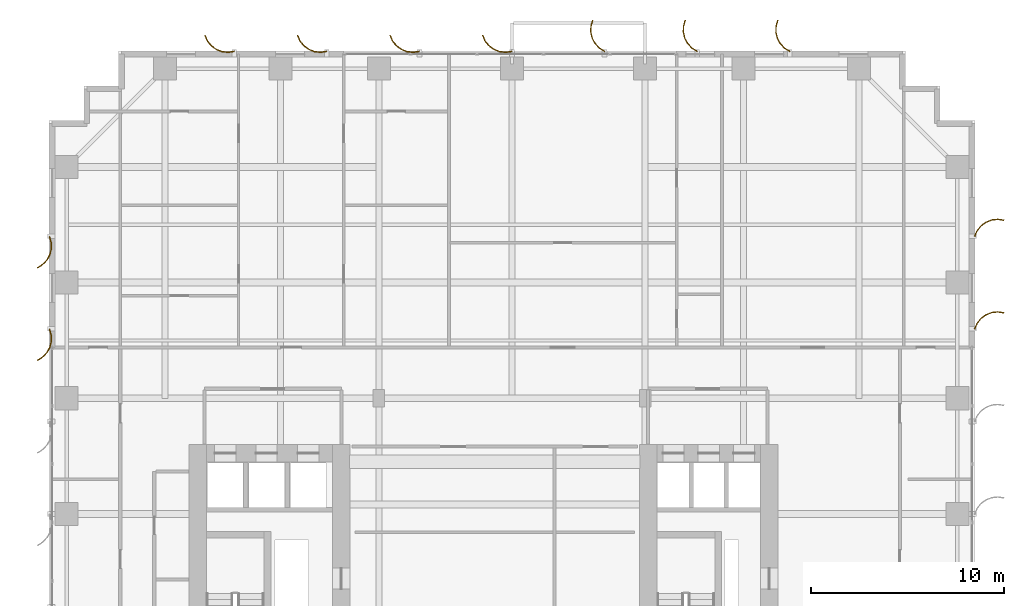
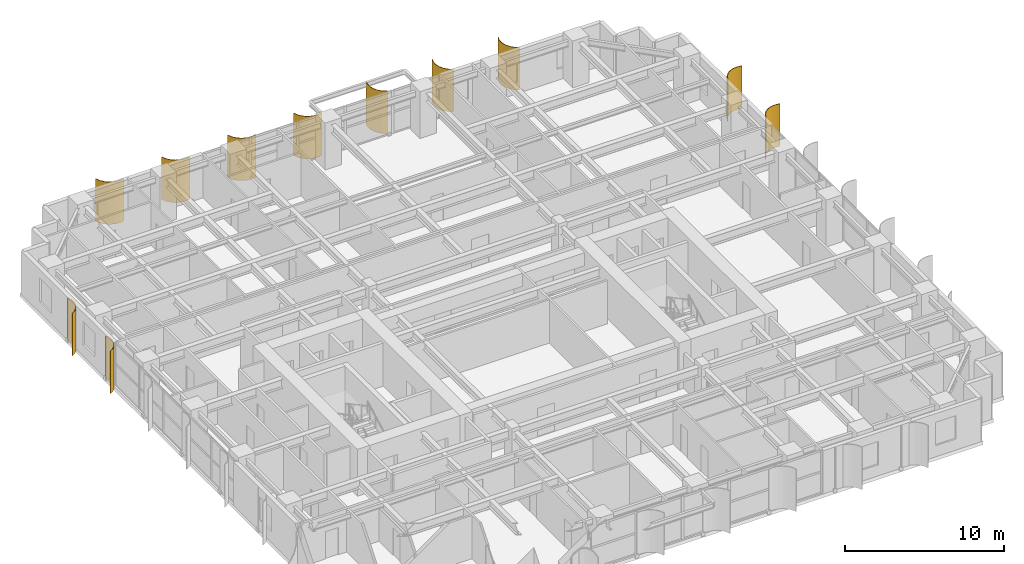
# One storey, part 25 of 25: 11 shading devices.
"""IFC4 building model written with IfcOpenShell, lengths in metres."""

from ifc_helpers import new_model, si_unit, direction, frame, origin, place, context, subcontext, project, spatial, polyline, outline, extrude, source, transform, mapped, material, layer, layer_set, type_object, element, save


model = new_model("IFC4")

# Units and contexts
model_context = context("Model", 3, precision=1e-05, world=origin(), true_north=direction((0.0, 1.0)))
body_context = subcontext(model_context, "Body", "Model", "MODEL_VIEW")
ifc_project = project(units=[si_unit("LENGTHUNIT", "METRE"), si_unit("AREAUNIT", "SQUARE_METRE"), si_unit("VOLUMEUNIT", "CUBIC_METRE"), si_unit("PLANEANGLEUNIT", "RADIAN"), si_unit("MASSUNIT", "GRAM", prefix="KILO")], contexts=[model_context])

# Site, building, storey
site_placement = place(None, origin())
site = spatial("IfcSite", under=ifc_project, at=site_placement, CompositionType="ELEMENT")
building_placement = place(site_placement, origin())
building = spatial("IfcBuilding", under=site, at=building_placement, Name="Khoralis Quay Care Tower", CompositionType="ELEMENT")
storey_placement = place(building_placement, frame((0.0, 0.0, 65.699951171875)))
storey = spatial("IfcBuildingStorey", under=building, at=storey_placement, Name="L17", CompositionType="ELEMENT", Elevation=65.699951171875)

# Shading devices
ifc_material = material(Name="Brushed pale anodised aluminium", Category="aluminium")
ifc_layer = layer(ifc_material, 0.044921875)
ifc_layer_set = layer_set([ifc_layer], Name="Brushed pale anodised aluminium")
shading_device_type = type_object("IfcShadingDeviceType", Name="SHD-FIN-1250", PredefinedType="USERDEFINED", material=ifc_layer_set)
shared_shape_1 = source(origin(), body_context, "Body", "SweptSolid", [
    extrude(outline(polyline([(0.0, 0.0), (0.130126953125, 0.29931640625), (0.333251953125, 0.5546875), (0.595458984375, 0.748779296875), (0.899169921875, 0.868408203125), (1.223388671875, 0.9052734375), (1.546142578125, 0.85693359375), (1.53369140625, 0.813720703125), (1.22265625, 0.8603515625), (0.91015625, 0.82470703125), (0.617431640625, 0.70947265625), (0.364501953125, 0.522216796875), (0.168701171875, 0.276123046875), (0.043212890625, -0.012451171875), (0.0, 0.0)])), origin(), (0.0, 0.0, 1.0), 3.260009765625),
])
for number, where, z_axis, x_axis, name in (
    (1, (47.969970703125, 33.60009765625, 0.02001953125), (0.0, 0.0, 1.0), (1.0, 0.0, 0.0), "L17 Curved Solar Fin P1E5-06"),
    (2, (47.969970703125, 38.39990234375, 0.02001953125), (0.0, 0.0, 1.0), (1.0, 0.0, 0.0), "L17 Curved Solar Fin P1E5-07"),
):
    element("IfcShadingDevice", number, at=place(storey_placement, frame(where, z_axis=z_axis, x_axis=x_axis)), inside=storey, type_object=shading_device_type, Name=name, ObjectType="FIN", PredefinedType="USERDEFINED", context=body_context, shape_type="MappedRepresentation", body=[
        mapped(shared_shape_1, transform((0.0, 0.0, 0.0), scale=1.0)),
    ])
shared_shape_2 = source(origin(), body_context, "Body", "SweptSolid", [
    extrude(outline(polyline([(0.0, 0.0), (0.17041015625, 0.2783203125), (0.4072265625, 0.5029296875), (0.694091796875, 0.658447265625), (1.01123046875, 0.734619140625), (1.33740234375, 0.72607421875), (1.650390625, 0.633544921875), (1.632080078125, 0.59228515625), (1.330322265625, 0.681640625), (1.015869140625, 0.68994140625), (0.710205078125, 0.616455078125), (0.43359375, 0.466552734375), (0.20556640625, 0.25), (0.041015625, -0.018310546875), (0.0, 0.0)])), origin(), (0.0, 0.0, 1.0), 3.260009765625),
])
for number, where, z_axis, x_axis, name in (
    (3, (38.39990234375, 47.969970703125, 0.02001953125), (0.0, 0.0, 1.0), (0.0, 1.0, 0.0), "L17 Curved Solar Fin P1E10-01"),
    (4, (33.60009765625, 47.969970703125, 0.02001953125), (0.0, 0.0, 1.0), (0.0, 1.0, 0.0), "L17 Curved Solar Fin P1E10-02"),
    (5, (28.800048828125, 47.969970703125, 0.02001953125), (0.0, 0.0, 1.0), (0.0, 1.0, 0.0), "L17 Curved Solar Fin P1E10-03"),
):
    element("IfcShadingDevice", number, at=place(storey_placement, frame(where, z_axis=z_axis, x_axis=x_axis)), inside=storey, type_object=shading_device_type, Name=name, ObjectType="FIN", PredefinedType="USERDEFINED", context=body_context, shape_type="MappedRepresentation", body=[
        mapped(shared_shape_2, transform((0.0, 0.0, 0.0), scale=1.0)),
    ])
shared_shape_3 = source(origin(), body_context, "Body", "SweptSolid", [
    extrude(outline(polyline([(0.0, 0.0), (-0.04833984375, 0.32275390625), (-0.01123046875, 0.64697265625), (0.1083984375, 0.950439453125), (0.302490234375, 1.212890625), (0.557861328125, 1.416015625), (0.85693359375, 1.546142578125), (0.869384765625, 1.5029296875), (0.5810546875, 1.37744140625), (0.334716796875, 1.181640625), (0.147705078125, 0.9287109375), (0.032470703125, 0.635986328125), (-0.003173828125, 0.323486328125), (0.043212890625, 0.012451171875), (0.0, 0.0)])), origin(), (0.0, 0.0, 1.0), 3.260009765625),
])
for number, where, z_axis, x_axis, name in (
    (6, (24.0, 47.969970703125, 0.02001953125), (0.0, 0.0, 1.0), (0.0, 1.0, 0.0), "L17 Curved Solar Fin P1E10-04"),
    (7, (19.199951171875, 47.969970703125, 0.02001953125), (0.0, 0.0, 1.0), (0.0, 1.0, 0.0), "L17 Curved Solar Fin P1E10-05"),
    (8, (14.39990234375, 47.969970703125, 0.02001953125), (0.0, 0.0, 1.0), (0.0, 1.0, 0.0), "L17 Curved Solar Fin P1E10-06"),
    (9, (9.60009765625, 47.969970703125, 0.02001953125), (0.0, 0.0, 1.0), (0.0, 1.0, 0.0), "L17 Curved Solar Fin P1E10-07"),
):
    element("IfcShadingDevice", number, at=place(storey_placement, frame(where, z_axis=z_axis, x_axis=x_axis)), inside=storey, type_object=shading_device_type, Name=name, ObjectType="FIN", PredefinedType="USERDEFINED", context=body_context, shape_type="MappedRepresentation", body=[
        mapped(shared_shape_3, transform((0.0, 0.0, 0.0), scale=1.0)),
    ])
shared_shape_4 = source(origin(), body_context, "Body", "SweptSolid", [
    extrude(outline(polyline([(0.0, 0.0), (-0.0927734375, 0.31298828125), (-0.101318359375, 0.63916015625), (-0.025146484375, 0.956298828125), (0.130615234375, 1.2431640625), (0.355224609375, 1.479736328125), (0.633544921875, 1.650390625), (0.65185546875, 1.609130859375), (0.383544921875, 1.44482421875), (0.1669921875, 1.216796875), (0.01708984375, 0.940185546875), (-0.056396484375, 0.63427734375), (-0.04833984375, 0.31982421875), (0.041015625, 0.018310546875), (0.0, 0.0)])), origin(), (0.0, 0.0, 1.0), 3.260009765625),
])
for number, where, z_axis, x_axis, name in (
    (10, (0.030029296875, 38.39990234375, 0.02001953125), (0.0, 0.0, 1.0), (-1.0, 0.0, 0.0), "L17 Curved Solar Fin P1E15-01"),
    (11, (0.030029296875, 33.60009765625, 0.02001953125), (0.0, 0.0, 1.0), (-1.0, 0.0, 0.0), "L17 Curved Solar Fin P1E15-02"),
):
    element("IfcShadingDevice", number, at=place(storey_placement, frame(where, z_axis=z_axis, x_axis=x_axis)), inside=storey, type_object=shading_device_type, Name=name, ObjectType="FIN", PredefinedType="USERDEFINED", context=body_context, shape_type="MappedRepresentation", body=[
        mapped(shared_shape_4, transform((0.0, 0.0, 0.0), scale=1.0)),
    ])

save(model, "model.ifc")
